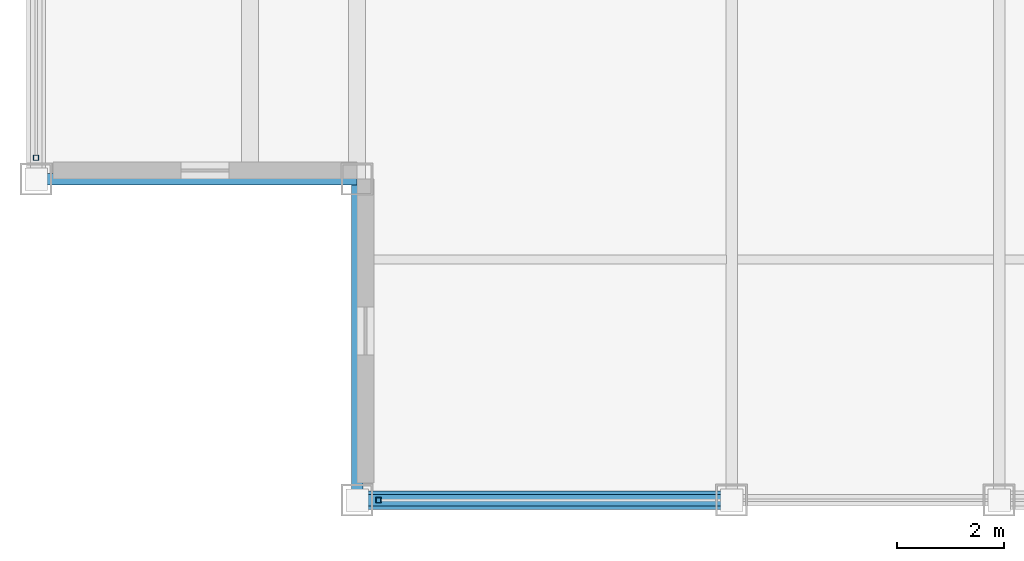
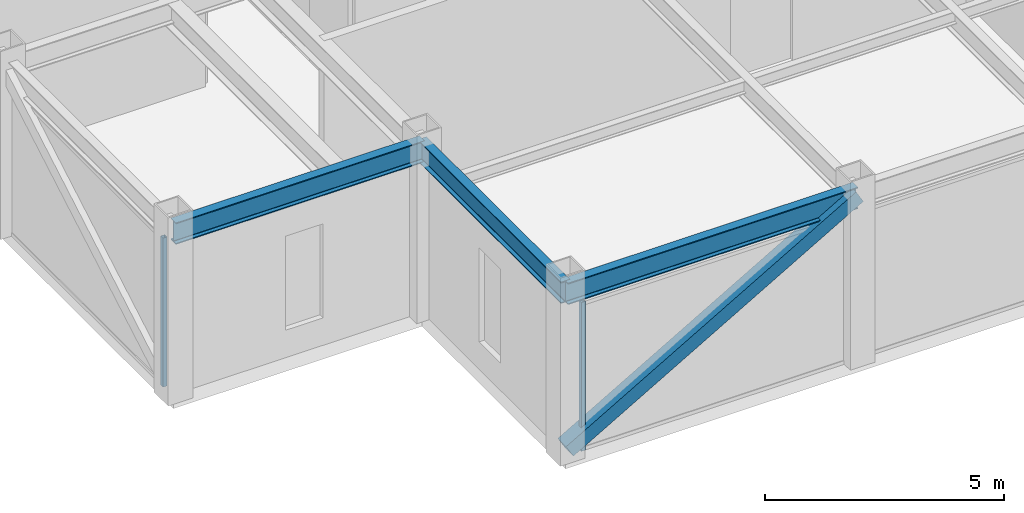
# One storey, part 2 of 27: 3 beams, 3 members, 2 elements without a shape of their own.
"""IFC4 building model written with IfcOpenShell, lengths in metres."""

import ifcopenshell
import ifcopenshell.guid

model = None  # the IFC model being written
_history = None  # IfcOwnerHistory: only IFC2X3 demands one
_inside = {}  # id of a spatial element -> (the spatial element, [elements in it])
_under = {}  # id of a project, library or spatial element -> (it, [spatial elements below it])
_declared = {}  # id of a project -> (the project, [libraries it declares])
_typed = {}  # id of a type object -> (the type object, [elements of that type])
_made_of = {}  # id of a material, layer set ... -> (it, [elements and type objects made of it])


def new_model(schema):
    """Start an empty IFC model of exactly this schema.

    Asked for "IFC4X3", IfcOpenShell would pick the latest addendum, in which some entities
    have other attributes; the version numbers below select the first issue.
    IFC2X3 requires an IfcOwnerHistory on every rooted entity: one is made here for all.
    """
    global model, _history
    if schema == "IFC4X3":
        model = ifcopenshell.file(schema_version=(4, 3, 0, 0))
    else:
        model = ifcopenshell.file(schema=schema)
    _inside.clear()
    _under.clear()
    _declared.clear()
    _typed.clear()
    _made_of.clear()
    _history = None
    if model.schema == "IFC2X3":
        org = make("IfcOrganization", Name="unknown")
        user = make(
            "IfcPersonAndOrganization",
            ThePerson=make("IfcPerson", FamilyName="unknown"),
            TheOrganization=org,
        )
        app = make(
            "IfcApplication",
            ApplicationDeveloper=org,
            Version="unknown",
            ApplicationFullName="unknown",
            ApplicationIdentifier="unknown",
        )
        _history = make(
            "IfcOwnerHistory",
            OwningUser=user,
            OwningApplication=app,
            ChangeAction="ADDED",
            CreationDate=0,
        )
    return model


def make(cls, **values):
    """One entity of the class cls with the attributes given. An attribute that is None is left unset."""
    return model.create_entity(
        cls, **{name: value for name, value in values.items() if value is not None}
    )


def rooted(cls, **values):
    """An entity with a GlobalId (a new one), such as an element, a storey or a relation."""
    return make(cls, GlobalId=ifcopenshell.guid.new(), OwnerHistory=_history, **values)


def si_unit(unit_type, name, prefix=None):
    """IfcSIUnit, for example si_unit("LENGTHUNIT", "METRE", prefix="MILLI")."""
    return make("IfcSIUnit", UnitType=unit_type, Prefix=prefix, Name=name)


def assignment(units):
    """IfcUnitAssignment: the units of a project."""
    return None if units is None else make("IfcUnitAssignment", Units=units)


def point(xyz):
    """IfcCartesianPoint."""
    return None if xyz is None else make("IfcCartesianPoint", Coordinates=xyz)


def direction(xyz):
    """IfcDirection."""
    return None if xyz is None else make("IfcDirection", DirectionRatios=xyz)


def frame(location, z_axis=None, x_axis=None):
    """IfcAxis2Placement3D, a coordinate frame: its origin and axes. An axis left out is left unset."""
    return make(
        "IfcAxis2Placement3D",
        Location=point(location),
        Axis=direction(z_axis),
        RefDirection=direction(x_axis),
    )


def frame_2d(location, x_axis=None):
    """IfcAxis2Placement2D, a coordinate frame in the plane: its origin and x axis."""
    return make(
        "IfcAxis2Placement2D", Location=point(location), RefDirection=direction(x_axis)
    )


def origin():
    """The frame at (0, 0, 0) with its axes left unset."""
    return frame((0.0, 0.0, 0.0))


def origin_2d():
    """The frame at (0, 0) in the plane with its x axis left unset."""
    return frame_2d((0.0, 0.0))


def place(relative_to, where):
    """IfcLocalPlacement: puts the frame where relative to a parent placement (None: the world)."""
    return make(
        "IfcLocalPlacement", PlacementRelTo=relative_to, RelativePlacement=where
    )


def context(
    kind, dimensions, precision=None, world=None, true_north=None, identifier=None
):
    """IfcGeometricRepresentationContext, for example the 3D "Model" context."""
    return make(
        "IfcGeometricRepresentationContext",
        ContextIdentifier=identifier,
        ContextType=kind,
        CoordinateSpaceDimension=dimensions,
        Precision=precision,
        WorldCoordinateSystem=world,
        TrueNorth=true_north,
    )


def subcontext(parent, identifier, kind, view, scale=None):
    """IfcGeometricRepresentationSubContext, for example "Body" below "Model"."""
    return make(
        "IfcGeometricRepresentationSubContext",
        ContextIdentifier=identifier,
        ContextType=kind,
        ParentContext=parent,
        TargetScale=scale,
        TargetView=view,
    )


def project(units=None, contexts=None):
    """IfcProject with its units and contexts."""
    return rooted(
        "IfcProject",
        Name="project",
        RepresentationContexts=contexts,
        UnitsInContext=assignment(units),
    )


def spatial(cls, under=None, at=None, **own):
    """A site, building, storey or space (cls), placed at a placement, below another one or the project."""
    s = rooted(cls, ObjectPlacement=at, **own)
    if under is not None:
        _under.setdefault(under.id(), (under, []))[1].append(s)
    return s


def profile(cls, at=None, kind="AREA", **sizes):
    """A parametric profile (cls). Its sizes go by their IFC names, for example OverallWidth=200.0."""
    return make(cls, ProfileType=kind, Position=at, **sizes)


def hollow_rectangle(**sizes):
    """IfcRectangleHollowProfileDef."""
    return profile("IfcRectangleHollowProfileDef", **sizes)


def i_section(**sizes):
    """IfcIShapeProfileDef."""
    return profile("IfcIShapeProfileDef", **sizes)


def extrude(swept, where, along, depth):
    """IfcExtrudedAreaSolid: the profile swept, set in the frame where, extruded along a direction by depth."""
    return make(
        "IfcExtrudedAreaSolid",
        SweptArea=swept,
        Position=where,
        ExtrudedDirection=direction(along),
        Depth=depth,
    )


def shape(context_of_items, identifier, shape_type, items):
    """IfcShapeRepresentation: the items that make up one representation, for example the "Body"."""
    return make(
        "IfcShapeRepresentation",
        ContextOfItems=context_of_items,
        RepresentationIdentifier=identifier,
        RepresentationType=shape_type,
        Items=items,
    )


def source(mapping_origin, context_of_items, identifier, shape_type, items):
    """IfcRepresentationMap: a shape defined once, which mapped items show again and again."""
    return make(
        "IfcRepresentationMap",
        MappingOrigin=mapping_origin,
        MappedRepresentation=shape(context_of_items, identifier, shape_type, items),
    )


def transform(
    local_origin,
    x_axis=None,
    y_axis=None,
    z_axis=None,
    scale=None,
    scale2=None,
    scale3=None,
    uniform=True,
):
    """IfcCartesianTransformationOperator3D, or its non-uniform kind. x_axis, y_axis, z_axis: its Axis1, 2, 3."""
    if uniform:
        return make(
            "IfcCartesianTransformationOperator3D",
            Axis1=direction(x_axis),
            Axis2=direction(y_axis),
            LocalOrigin=point(local_origin),
            Scale=scale,
            Axis3=direction(z_axis),
        )
    return make(
        "IfcCartesianTransformationOperator3DnonUniform",
        Axis1=direction(x_axis),
        Axis2=direction(y_axis),
        LocalOrigin=point(local_origin),
        Scale=scale,
        Axis3=direction(z_axis),
        Scale2=scale2,
        Scale3=scale3,
    )


def mapped(mapping_source, mapping_target):
    """IfcMappedItem: shows the shape of a source again, moved by a transform."""
    return make(
        "IfcMappedItem", MappingSource=mapping_source, MappingTarget=mapping_target
    )


def material(Name=None, Category=None):
    """IfcMaterial."""
    return make("IfcMaterial", Name=Name, Category=Category)


def material_profile(
    of_material, cross_section, Name=None, Category=None, Priority=None
):
    """IfcMaterialProfile: a cross section and its material."""
    return make(
        "IfcMaterialProfile",
        Name=Name,
        Material=of_material,
        Profile=cross_section,
        Priority=Priority,
        Category=Category,
    )


def profile_set(profiles, Name=None, composite=None):
    """IfcMaterialProfileSet."""
    return make(
        "IfcMaterialProfileSet",
        Name=Name,
        MaterialProfiles=profiles,
        CompositeProfile=composite,
    )


def made_of(thing, what):
    """Note that an element or type object is made of a material, layer set ...; save() writes the relation."""
    if what is not None:
        _made_of.setdefault(what.id(), (what, []))[1].append(thing)
    return thing


def type_object(cls, material=None, **own):
    """A type object (cls), such as IfcWallType, which elements share."""
    return made_of(rooted(cls, **own), material)


def element(
    cls,
    number,
    at=None,
    inside=None,
    cuts=None,
    type_object=None,
    material=None,
    context=None,
    identifier="Body",
    shape_type=None,
    held_by="IfcProductDefinitionShape",
    body=None,
    shapes=None,
    **own,
):
    """One element of the class cls, such as IfcWall. Its Tag is "e" and its number.

    at: its placement. inside: the storey or other place that contains it. cuts: it is an
    opening in that element (IfcRelVoidsElement). A single representation is given by context,
    identifier, shape_type and body (its items); several are given by shapes. held_by: the class
    of the entity that holds the representations. save() writes the other relations.
    """
    e = rooted(cls, Tag="e%d" % number, ObjectPlacement=at, **own)
    if body is not None:
        shapes = [shape(context, identifier, shape_type, body)]
    if shapes is not None:
        e.Representation = make(held_by, Representations=shapes)
    if inside is not None:
        _inside.setdefault(inside.id(), (inside, []))[1].append(e)
    if cuts is not None:
        rooted(
            "IfcRelVoidsElement", RelatingBuildingElement=cuts, RelatedOpeningElement=e
        )
    if type_object is not None:
        _typed.setdefault(type_object.id(), (type_object, []))[1].append(e)
    return made_of(e, material)


def aggregate(whole, parts):
    """IfcRelAggregates: a whole, such as a stair, and the parts it consists of."""
    return rooted("IfcRelAggregates", RelatingObject=whole, RelatedObjects=parts)


def save(model, path):
    """Write the relations noted so far, then the file.

    IfcRelAggregates (storeys below a building ...), IfcRelContainedInSpatialStructure (elements
    in a storey), IfcRelDefinesByType, IfcRelAssociatesMaterial and IfcRelDeclares: one each for
    every whole, place, type object, material and project.
    """
    for whole, parts in _under.values():
        aggregate(whole, parts)
    for where, things in _inside.values():
        rooted(
            "IfcRelContainedInSpatialStructure",
            RelatedElements=things,
            RelatingStructure=where,
        )
    for kind, things in _typed.values():
        rooted("IfcRelDefinesByType", RelatedObjects=things, RelatingType=kind)
    for what, things in _made_of.values():
        rooted("IfcRelAssociatesMaterial", RelatedObjects=things, RelatingMaterial=what)
    for by, libraries in _declared.values():
        rooted("IfcRelDeclares", RelatingContext=by, RelatedDefinitions=libraries)
    model.write(path)


model = new_model("IFC4")

# Units and contexts
model_context = context("Model", 3, precision=1e-05, world=origin(), true_north=direction((0.0, 1.0)))
body_context = subcontext(model_context, "Body", "Model", "MODEL_VIEW")
ifc_project = project(units=[si_unit("LENGTHUNIT", "METRE"), si_unit("AREAUNIT", "SQUARE_METRE"), si_unit("VOLUMEUNIT", "CUBIC_METRE"), si_unit("PLANEANGLEUNIT", "RADIAN"), si_unit("MASSUNIT", "GRAM", prefix="KILO")], contexts=[model_context])

# Site, building, storey
site_placement = place(None, origin())
site = spatial("IfcSite", under=ifc_project, at=site_placement, CompositionType="ELEMENT")
building_placement = place(site_placement, origin())
building = spatial("IfcBuilding", under=site, at=building_placement, Name="Khorayat Bourse Tower", CompositionType="ELEMENT")
storey_placement = place(building_placement, frame((0.0, 0.0, 380.300048828125)))
storey = spatial("IfcBuildingStorey", under=building, at=storey_placement, Name="L90", CompositionType="ELEMENT", Elevation=380.300048828125)

# Beams
ifc_material_1 = material(Name="Steel ASTM A992 Grade 50", Category="steel")
ifc_material_profile_1 = material_profile(ifc_material_1, i_section(OverallWidth=0.214111328125, OverallDepth=0.549072265625, WebThickness=0.0146484375, FlangeThickness=0.023681640625, FilletRadius=0.013916015625, at=origin_2d()), Name="W530X138")
ifc_profile_set_1 = profile_set([ifc_material_profile_1], Name="Steel ASTM A992 Grade 50")
beam_type = type_object("IfcBeamType", Name="BM-SPAN-530", PredefinedType="SPANDREL", material=ifc_profile_set_1)
shared_shape_1 = source(origin(), body_context, "Body", "SweptSolid", [
    extrude(i_section(OverallWidth=0.214111328125, OverallDepth=0.549072265625, WebThickness=0.0146484375, FlangeThickness=0.023681640625, FilletRadius=0.013916015625, at=origin_2d()), origin(), (0.0, 0.0, 1.0), 6.0),
])
for number, where, z_axis, x_axis, name in (
    (1, (-24.0, -18.0, 4.175537109375), (1.0, 0.0, 0.0), (0.0, 1.0, 0.0), "L90 BM-SPAN-530 BM-L90-SPN-054"),
    (2, (-18.0, -24.0, 4.175537109375), (0.0, 1.0, 0.0), (-1.0, 0.0, 0.0), "L90 BM-SPAN-530 BM-L90-SPN-055"),
):
    element("IfcBeam", number, at=place(storey_placement, frame(where, z_axis=z_axis, x_axis=x_axis)), inside=storey, type_object=beam_type, Name=name, PredefinedType="SPANDREL", context=body_context, shape_type="MappedRepresentation", body=[
        mapped(shared_shape_1, transform((0.0, 0.0, 0.0), scale=1.0)),
    ])
shared_shape_2 = source(origin(), body_context, "Body", "SweptSolid", [
    extrude(i_section(OverallWidth=0.214111328125, OverallDepth=0.549072265625, WebThickness=0.0146484375, FlangeThickness=0.023681640625, FilletRadius=0.013916015625, at=origin_2d()), origin(), (0.0, 0.0, 1.0), 7.0),
])
beam_placement = place(storey_placement, frame((-18.0, -24.0, 4.175537109375), z_axis=(1.0, 0.0, 0.0), x_axis=(0.0, 1.0, 0.0)))
element("IfcBeam", 3, at=beam_placement, inside=storey, type_object=beam_type, Name="L90 BM-SPAN-530 BM-L90-SPN-024", PredefinedType="SPANDREL", context=body_context, shape_type="MappedRepresentation", body=[
    mapped(shared_shape_2, transform((0.0, 0.0, 0.0), scale=1.0)),
])

# Member
ifc_material_2 = material(Name="Steel EN 10025-2 S355J2", Category="steel")
ifc_material_profile_2 = material_profile(ifc_material_2, hollow_rectangle(XDim=0.35009765625, YDim=0.35009765625, WallThickness=0.02001953125, at=origin_2d()), Name="HSS 350x350x20")
ifc_profile_set_2 = profile_set([ifc_material_profile_2], Name="Steel EN 10025-2 S355J2")
member_type_1 = type_object("IfcMemberType", Name="MBR-CROWN-350", PredefinedType="USERDEFINED", material=ifc_profile_set_2)
shared_shape_3 = source(origin(), body_context, "Body", "SweptSolid", [
    extrude(hollow_rectangle(XDim=0.35009765625, YDim=0.35009765625, WallThickness=0.02001953125, at=origin_2d()), origin(), (0.0, 0.0, 1.0), 8.087158203125),
])
member_1_placement = place(storey_placement, frame((-18.0, -24.0, 0.199951171875), z_axis=(0.865564731219, 0.0, 0.500797060763), x_axis=(0.0, 1.0, 0.0)))
element("IfcMember", 4, at=member_1_placement, inside=storey, type_object=member_type_1, Name="L90 Lantern Crown Frame Member 01", ObjectType="CROWN FRAME", PredefinedType="USERDEFINED", context=body_context, shape_type="MappedRepresentation", body=[
    mapped(shared_shape_3, transform((0.0, 0.0, 0.0), scale=1.0)),
])

# Curtain wall, member
ifc_material_3 = material(Name="Aluminium EN AW-6063 T6", Category="aluminium")
curtain_wall_type = type_object("IfcCurtainWallType", Name="CW-SYS-07", PredefinedType="NOTDEFINED", material=ifc_material_3)
curtain_wall_1_placement = place(storey_placement, origin())
curtain_wall_1 = element("IfcCurtainWall", 5, at=curtain_wall_1_placement, inside=storey, type_object=curtain_wall_type, Name="L90 Curtain Wall CW-L90-S1", PredefinedType="NOTDEFINED")
ifc_material_profile_3 = material_profile(ifc_material_3, hollow_rectangle(XDim=0.10009765625, YDim=0.10009765625, WallThickness=0.0048828125, at=origin_2d()), Name="ALU 100x100x5")
ifc_profile_set_3 = profile_set([ifc_material_profile_3], Name="Aluminium EN AW-6063 T6")
member_type_2 = type_object("IfcMemberType", Name="CWM-LANTERN-100", PredefinedType="MULLION", material=ifc_profile_set_3)
shared_shape_4 = source(origin(), body_context, "Body", "SweptSolid", [
    extrude(hollow_rectangle(XDim=0.10009765625, YDim=0.10009765625, WallThickness=0.0048828125, at=origin_2d()), origin(), (0.0, 0.0, 1.0), 3.800048828125),
])
member_2_placement = place(storey_placement, frame((-17.60009765625, -24.0, 0.0), z_axis=(0.0, 0.0, 1.0), x_axis=(0.0, 1.0, 0.0)))
member_2 = element("IfcMember", 6, at=member_2_placement, type_object=member_type_2, Name="CW-L90-S1 Vertical Mullion 1", PredefinedType="MULLION", context=body_context, shape_type="MappedRepresentation", body=[
    mapped(shared_shape_4, transform((0.0, 0.0, 0.0), scale=1.0)),
])
aggregate(curtain_wall_1, [member_2])

curtain_wall_2_placement = place(storey_placement, origin())
curtain_wall_2 = element("IfcCurtainWall", 7, at=curtain_wall_2_placement, inside=storey, type_object=curtain_wall_type, Name="L90 Curtain Wall CW-L90-W1", PredefinedType="NOTDEFINED")
member_3_placement = place(storey_placement, frame((-24.0, -17.60009765625, 0.0), z_axis=(0.0, 0.0, 1.0), x_axis=(-1.0, 0.0, 0.0)))
member_3 = element("IfcMember", 8, at=member_3_placement, type_object=member_type_2, Name="CW-L90-W1 Vertical Mullion 1", PredefinedType="MULLION", context=body_context, shape_type="MappedRepresentation", body=[
    mapped(shared_shape_4, transform((0.0, 0.0, 0.0), scale=1.0)),
])
aggregate(curtain_wall_2, [member_3])

save(model, "model.ifc")
